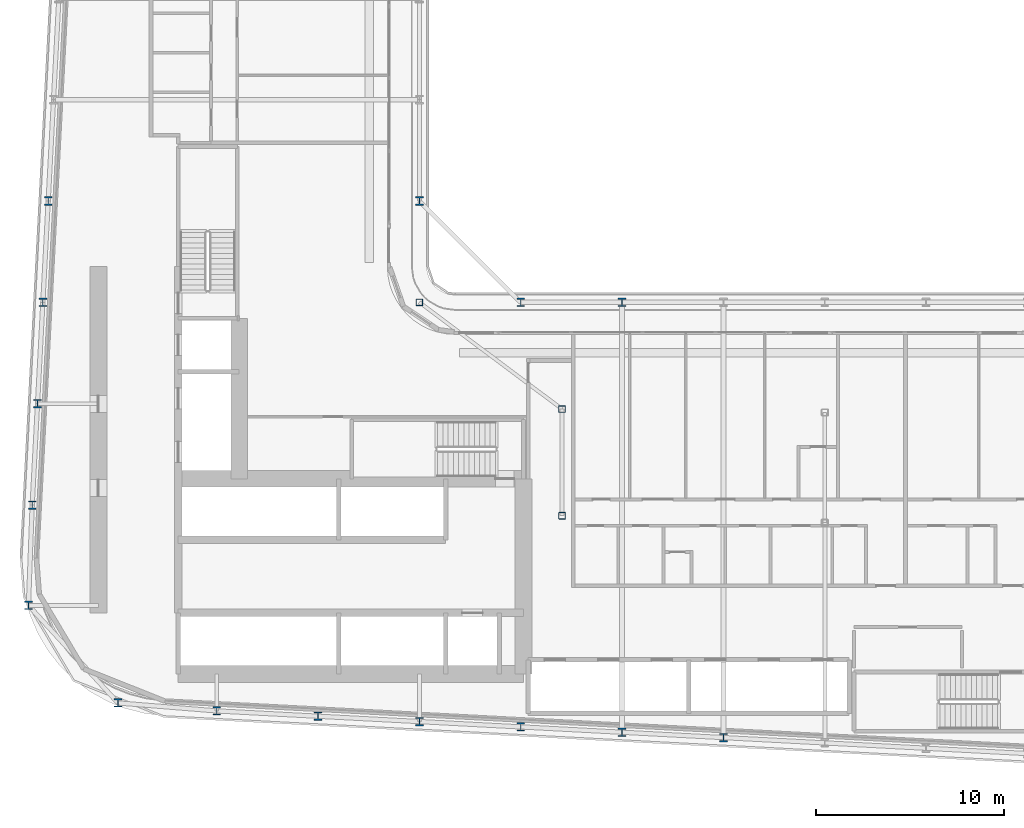
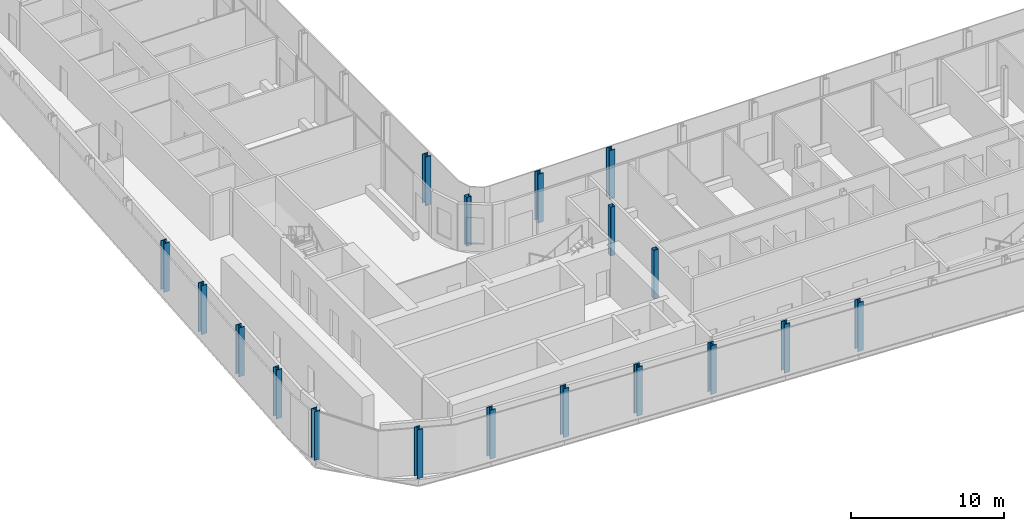
# One storey, part 1 of 28: 18 columns.
"""IFC4 building model written with IfcOpenShell, lengths in metres."""

from ifc_helpers import new_model, si_unit, direction, frame, origin, origin_2d, place, context, subcontext, project, spatial, hollow_rectangle, i_section, extrude, material, material_profile, profile_set, type_object, element, save


model = new_model("IFC4")

# Units and contexts
model_context = context("Model", 3, precision=1e-05, world=origin(), true_north=direction((0.0, 1.0)))
body_context = subcontext(model_context, "Body", "Model", "MODEL_VIEW")
ifc_project = project(units=[si_unit("LENGTHUNIT", "METRE"), si_unit("AREAUNIT", "SQUARE_METRE"), si_unit("VOLUMEUNIT", "CUBIC_METRE"), si_unit("PLANEANGLEUNIT", "RADIAN"), si_unit("MASSUNIT", "GRAM", prefix="KILO")], contexts=[model_context])

# Site, building, storey
site_placement = place(None, origin())
site = spatial("IfcSite", under=ifc_project, at=site_placement, CompositionType="ELEMENT")
building_placement = place(site_placement, origin())
building = spatial("IfcBuilding", under=site, at=building_placement, Name="Kheshtan School and Residences Tower", CompositionType="ELEMENT")
storey_placement = place(building_placement, frame((0.0, 0.0, 140.89990234375)))
storey = spatial("IfcBuildingStorey", under=building, at=storey_placement, Name="L33", CompositionType="ELEMENT", Elevation=140.89990234375)

# Columns
ifc_material_1 = material(Name="Steel ASTM A992 Grade 50", Category="steel")
ifc_material_profile_1 = material_profile(ifc_material_1, i_section(OverallWidth=0.41796875, OverallDepth=0.455078125, WebThickness=0.042236328125, FlangeThickness=0.067626953125, FilletRadius=0.013671875, at=origin_2d()), Name="W360x551")
ifc_profile_set_1 = profile_set([ifc_material_profile_1], Name="Steel ASTM A992 Grade 50")
column_type_1 = type_object("IfcColumnType", Name="Column C2 W360x551 ASTM A992 Grade 50", PredefinedType="COLUMN", material=ifc_profile_set_1)
for number, where, z_axis, x_axis, name in (
    (1, (63.800048828125, 22.410888671875, 0.0), (0.0, 0.0, 1.0), (1.0, 0.0, 0.0), "Column C016"),
    (2, (58.39990234375, 22.695068359375, 0.0), (0.0, 0.0, 1.0), (1.0, 0.0, 0.0), "Column C018"),
    (3, (53.0, 22.97998046875, 0.0), (0.0, 0.0, 1.0), (1.0, 0.0, 0.0), "Column C019"),
    (4, (47.60009765625, 23.263916015625, 0.0), (0.0, 0.0, 1.0), (1.0, 0.0, 0.0), "Column C020"),
    (5, (42.199951171875, 23.548095703125, 0.0), (0.0, 0.0, 1.0), (1.0, 0.0, 0.0), "Column C021"),
    (6, (36.800048828125, 23.83203125, 0.0), (0.0, 0.0, 1.0), (1.0, 0.0, 0.0), "Column C022"),
    (7, (31.5419921875, 24.257080078125, 0.0), (0.0, 0.0, 1.0), (1.0, 0.0, 0.0), "Column C025"),
    (8, (26.76904296875, 29.4541015625, 0.0), (0.0, 0.0, 1.0), (1.0, 0.0, 0.0), "Column C038"),
    (9, (26.968994140625, 34.800048828125, 0.0), (0.0, 0.0, 1.0), (1.0, 0.0, 0.0), "Column C052"),
    (10, (27.2529296875, 40.199951171875, 0.0), (0.0, 0.0, 1.0), (1.0, 0.0, 0.0), "Column C056"),
    (11, (27.537109375, 45.60009765625, 0.0), (0.0, 0.0, 1.0), (1.0, 0.0, 0.0), "Column C059"),
    (12, (53.0, 45.60009765625, 0.0), (0.0, 0.0, 1.0), (1.0, 0.0, 0.0), "Column C061"),
    (13, (58.39990234375, 45.60009765625, 0.0), (0.0, 0.0, 1.0), (1.0, 0.0, 0.0), "Column C062"),
    (14, (27.822021484375, 51.0, 0.0), (0.0, 0.0, 1.0), (1.0, 0.0, 0.0), "Column C078"),
    (15, (47.60009765625, 51.0, 0.0), (0.0, 0.0, 1.0), (1.0, 0.0, 0.0), "Column C079"),
):
    element("IfcColumn", number, at=place(storey_placement, frame(where, z_axis=z_axis, x_axis=x_axis)), inside=storey, type_object=column_type_1, Name=name, PredefinedType="COLUMN", context=body_context, shape_type="SweptSolid", body=[
        extrude(i_section(OverallWidth=0.41796875, OverallDepth=0.455078125, WebThickness=0.042236328125, FlangeThickness=0.067626953125, FilletRadius=0.013671875, at=origin_2d()), origin(), (0.0, 0.0, 1.0), 3.900146484375),
    ])
ifc_material_2 = material(Name="Steel ASTM A500 Grade C", Category="steel")
ifc_material_profile_2 = material_profile(ifc_material_2, hollow_rectangle(XDim=0.35595703125, YDim=0.35595703125, WallThickness=0.015869140625, InnerFilletRadius=0.015869140625, OuterFilletRadius=0.03173828125, at=origin_2d()), Name="HSS 356x356x15.9")
ifc_profile_set_2 = profile_set([ifc_material_profile_2], Name="Steel ASTM A500 Grade C")
column_type_2 = type_object("IfcColumnType", Name="Column IC1 HSS 356x356x15.9 ASTM A500 Grade C", PredefinedType="COLUMN", material=ifc_profile_set_2)
for number, where, z_axis, x_axis, name in (
    (16, (55.199951171875, 34.23193359375, 0.0), (0.0, 0.0, 1.0), (1.0, 0.0, 0.0), "Column C051"),
    (17, (55.199951171875, 39.916015625, 0.0), (0.0, 0.0, 1.0), (1.0, 0.0, 0.0), "Column C055"),
    (18, (47.60009765625, 45.60009765625, 0.0), (0.0, 0.0, 1.0), (1.0, 0.0, 0.0), "Column C060"),
):
    element("IfcColumn", number, at=place(storey_placement, frame(where, z_axis=z_axis, x_axis=x_axis)), inside=storey, type_object=column_type_2, Name=name, PredefinedType="COLUMN", context=body_context, shape_type="SweptSolid", body=[
        extrude(hollow_rectangle(XDim=0.35595703125, YDim=0.35595703125, WallThickness=0.015869140625, InnerFilletRadius=0.015869140625, OuterFilletRadius=0.03173828125, at=origin_2d()), origin(), (0.0, 0.0, 1.0), 3.900146484375),
    ])

save(model, "model.ifc")
